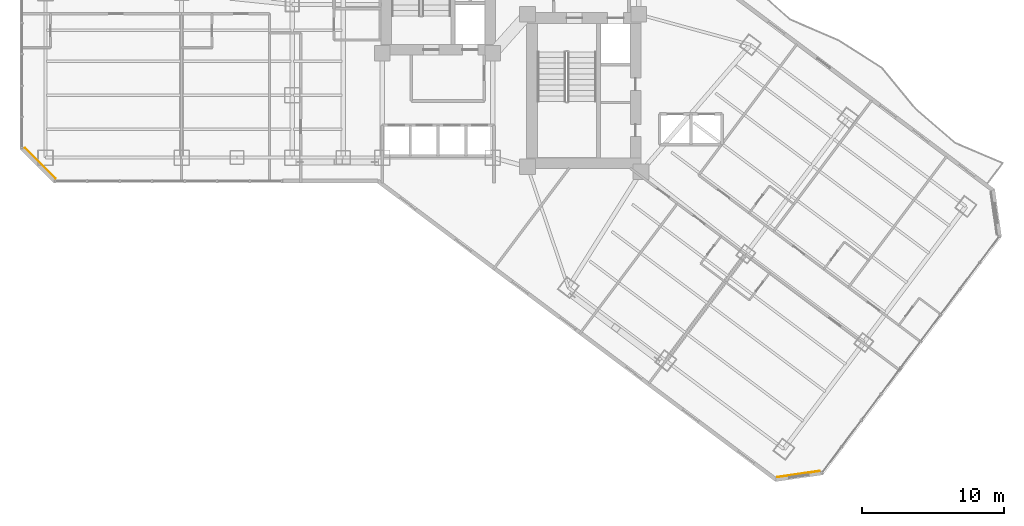
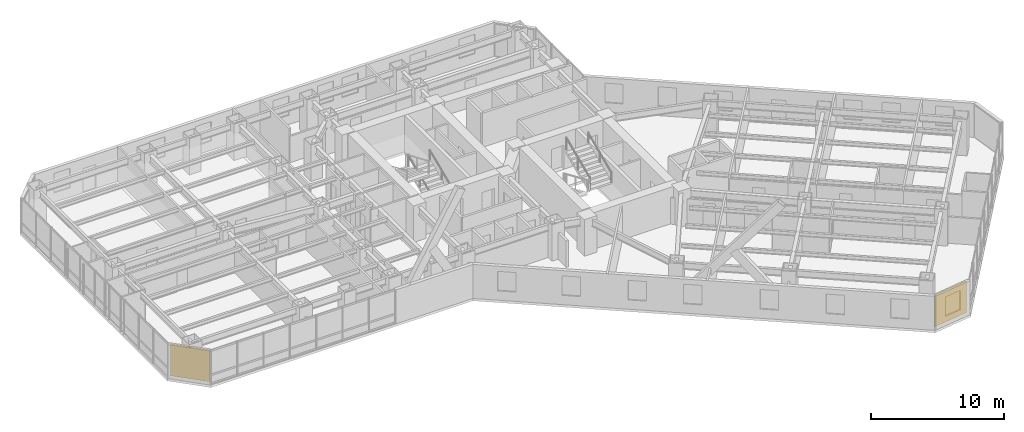
# One storey, part 29 of 33: 2 coverings.
"""IFC4 building model written with IfcOpenShell, lengths in metres."""

from ifc_helpers import new_model, si_unit, direction, frame, origin, origin_2d, place, context, subcontext, project, spatial, rectangle, extrude, material, layer, layer_set, type_object, element, save


model = new_model("IFC4")

# Units and contexts
model_context = context("Model", 3, precision=1e-05, world=origin(), true_north=direction((0.0, 1.0)))
body_context = subcontext(model_context, "Body", "Model", "MODEL_VIEW")
ifc_project = project(units=[si_unit("LENGTHUNIT", "METRE"), si_unit("AREAUNIT", "SQUARE_METRE"), si_unit("VOLUMEUNIT", "CUBIC_METRE"), si_unit("PLANEANGLEUNIT", "RADIAN"), si_unit("MASSUNIT", "GRAM", prefix="KILO")], contexts=[model_context])

# Site, building, storey
site_placement = place(None, origin())
site = spatial("IfcSite", under=ifc_project, at=site_placement, CompositionType="ELEMENT")
building_placement = place(site_placement, origin())
building = spatial("IfcBuilding", under=site, at=building_placement, Name="Hatsunagi Terrace Concourse", CompositionType="ELEMENT")
storey_placement = place(building_placement, frame((0.0, 0.0, 53.35009765625)))
storey = spatial("IfcBuildingStorey", under=building, at=storey_placement, Name="L13", CompositionType="ELEMENT", Elevation=53.35009765625)

# Coverings
ifc_material = material(Name="Unglazed Warm Terracotta Rainscreen Tile", Category="masonry")
ifc_layer = layer(ifc_material, 0.044921875)
ifc_layer_set = layer_set([ifc_layer], Name="TerracottaRainscreenCladding_45")
covering_type = type_object("IfcCoveringType", Name="TerracottaRainscreenCladding_45", PredefinedType="CLADDING", material=ifc_layer_set)
for number, where, z_axis, x_axis, name in (
    (1, (54.91796875, 2.87890625, 0.10009765625), (0.0, 0.0, 1.0), (-0.989973920543, -0.141250262458, 0.0), "Terracotta Rainscreen Cladding L13-04"),
    (2, (1.4140625, 24.81396484375, 0.10009765625), (0.0, 0.0, 1.0), (-0.707106781187, 0.707106781187, 0.0), "Terracotta Rainscreen Cladding L13-08"),
):
    element("IfcCovering", number, at=place(storey_placement, frame(where, z_axis=z_axis, x_axis=x_axis)), inside=storey, type_object=covering_type, Name=name, PredefinedType="CLADDING", context=body_context, shape_type="SweptSolid", body=[
        extrude(rectangle(XDim=3.0380859375, YDim=0.044921875, at=origin_2d()), origin(), (0.0, 0.0, 1.0), 2.929931640625),
    ])

save(model, "model.ifc")
